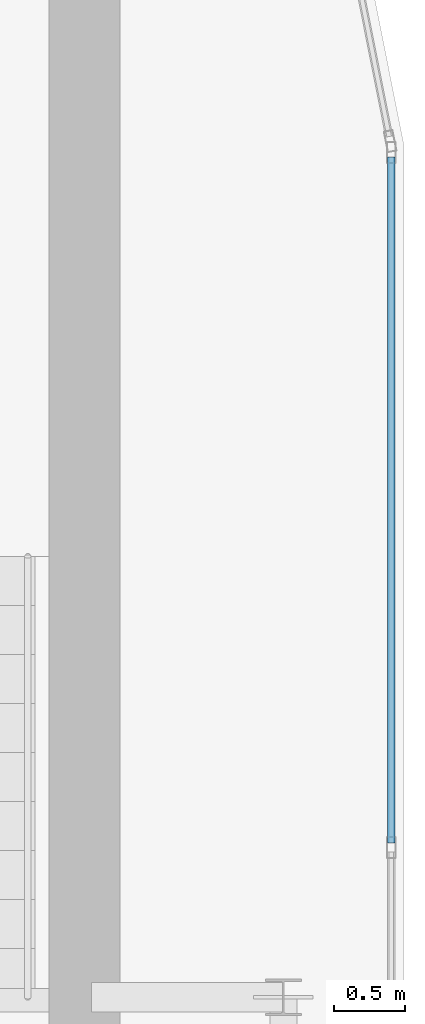
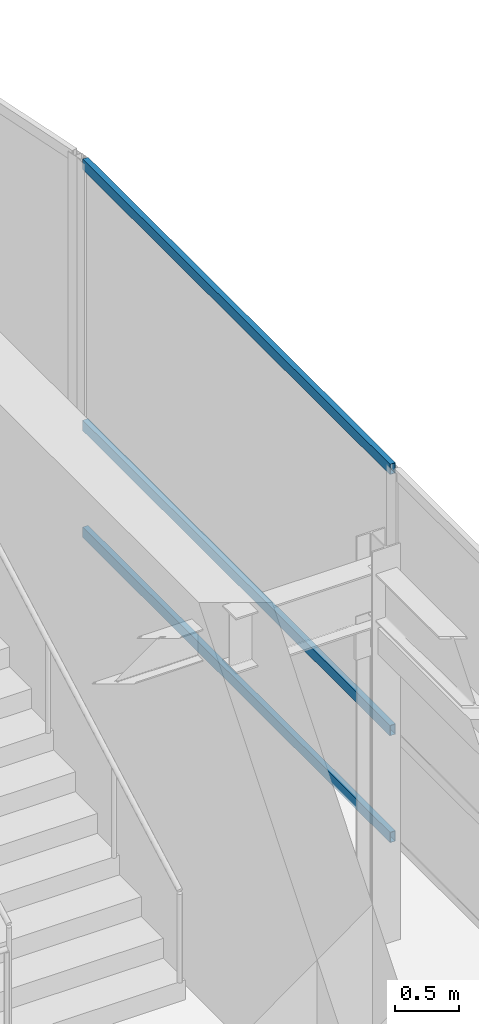
# One storey, part 25 of 36: 3 members, 1 element without a shape of its own.
"""IFC4 building model written with IfcOpenShell, lengths in metres."""

from ifc_helpers import new_model, si_unit, direction, frame, origin, origin_2d, place, context, subcontext, project, spatial, hollow_rectangle, extrude, source, transform, mapped, material, layer, layer_set, material_profile, profile_set, type_object, type_shapes, element, aggregate, save


model = new_model("IFC4")

# Units and contexts
model_context = context("Model", 3, precision=1e-05, world=origin(), true_north=direction((0.0, 1.0)))
body_context = subcontext(model_context, "Body", "Model", "MODEL_VIEW")
ifc_project = project(units=[si_unit("LENGTHUNIT", "METRE"), si_unit("AREAUNIT", "SQUARE_METRE"), si_unit("VOLUMEUNIT", "CUBIC_METRE"), si_unit("PLANEANGLEUNIT", "RADIAN"), si_unit("MASSUNIT", "GRAM", prefix="KILO")], contexts=[model_context])

# Site, building, storey
site_placement = place(None, origin())
site = spatial("IfcSite", under=ifc_project, at=site_placement, CompositionType="ELEMENT")
building_placement = place(site_placement, origin())
building = spatial("IfcBuilding", under=site, at=building_placement, Name="Tolvann Quenvar Hotel", CompositionType="ELEMENT")
storey_placement = place(building_placement, frame((0.0, 0.0, 306.14990234375)))
storey = spatial("IfcBuildingStorey", under=building, at=storey_placement, Name="L81", CompositionType="ELEMENT", Elevation=306.14990234375)

# Curtain wall, members
ifc_material_1 = material(Name="Thermally broken anodised architectural aluminium 6063-T6 and laminated low-E glass", Category="aluminium")
ifc_layer = layer(ifc_material_1, 0.179931640625)
ifc_layer_set = layer_set([ifc_layer], Name="Thermally broken anodised architectural aluminium 6063-T6 and laminated low-E glass")
curtain_wall_type = type_object("IfcCurtainWallType", Name="CW_SYS_LANT_06", PredefinedType="USERDEFINED", material=ifc_layer_set)
curtain_wall_placement = place(storey_placement, origin())
curtain_wall = element("IfcCurtainWall", 1, at=curtain_wall_placement, inside=storey, type_object=curtain_wall_type, Name="Curtain Wall CW-LANT-06 (CWR-L81-E09)", ObjectType="UNITISED CURTAIN WALL", PredefinedType="USERDEFINED")
ifc_material_2 = material(Name="Anodised architectural aluminium 6063-T6 framing", Category="aluminium")
ifc_material_profile = material_profile(ifc_material_2, hollow_rectangle(XDim=0.050048828125, YDim=0.10009765625, WallThickness=0.0029296875, at=origin_2d()), Name="100x50x3RHS")
ifc_profile_set = profile_set([ifc_material_profile], Name="Anodised architectural aluminium 6063-T6 framing")
member_type = type_object("IfcMemberType", Name="CW_TRAN_100x50", PredefinedType="USERDEFINED", material=ifc_profile_set)
shared_shape = source(origin(), body_context, "Body", "SweptSolid", [
    extrude(hollow_rectangle(XDim=0.050048828125, YDim=0.10009765625, WallThickness=0.0029296875, at=origin_2d()), origin(), (0.0, 0.0, 1.0), 4.830078125),
])
type_shapes(member_type, [shared_shape])
member_1_placement = place(storey_placement, frame((37.909912109375, 35.087646484375, 0.025146484375), z_axis=(0.0, 1.0, 0.0), x_axis=(-1.0, 0.0, 0.0)))
member_1 = element("IfcMember", 2, at=member_1_placement, type_object=member_type, Name="CW-LANT-06 transom 6.1", ObjectType="TRANSOM", PredefinedType="USERDEFINED", context=body_context, shape_type="MappedRepresentation", body=[
    mapped(shared_shape, transform((0.0, 0.0, 0.0), x_axis=(1.0, 0.0, 0.0), y_axis=(0.0, 1.0, 0.0), z_axis=(0.0, 0.0, 1.0), scale=1.0)),
])
member_2_placement = place(storey_placement, frame((37.909912109375, 35.087646484375, 1.050048828125), z_axis=(0.0, 1.0, 0.0), x_axis=(-1.0, 0.0, 0.0)))
member_2 = element("IfcMember", 3, at=member_2_placement, type_object=member_type, Name="CW-LANT-06 transom 6.2", ObjectType="TRANSOM", PredefinedType="USERDEFINED", context=body_context, shape_type="MappedRepresentation", body=[
    mapped(shared_shape, transform((0.0, 0.0, 0.0), x_axis=(1.0, 0.0, 0.0), y_axis=(0.0, 1.0, 0.0), z_axis=(0.0, 0.0, 1.0), scale=1.0)),
])
member_3_placement = place(storey_placement, frame((37.909912109375, 35.087646484375, 3.55517578125), z_axis=(0.0, 1.0, 0.0), x_axis=(-1.0, 0.0, 0.0)))
member_3 = element("IfcMember", 4, at=member_3_placement, type_object=member_type, Name="CW-LANT-06 transom 6.3", ObjectType="TRANSOM", PredefinedType="USERDEFINED", context=body_context, shape_type="MappedRepresentation", body=[
    mapped(shared_shape, transform((0.0, 0.0, 0.0), x_axis=(1.0, 0.0, 0.0), y_axis=(0.0, 1.0, 0.0), z_axis=(0.0, 0.0, 1.0), scale=1.0)),
])
aggregate(curtain_wall, [member_1, member_2, member_3])

save(model, "model.ifc")
